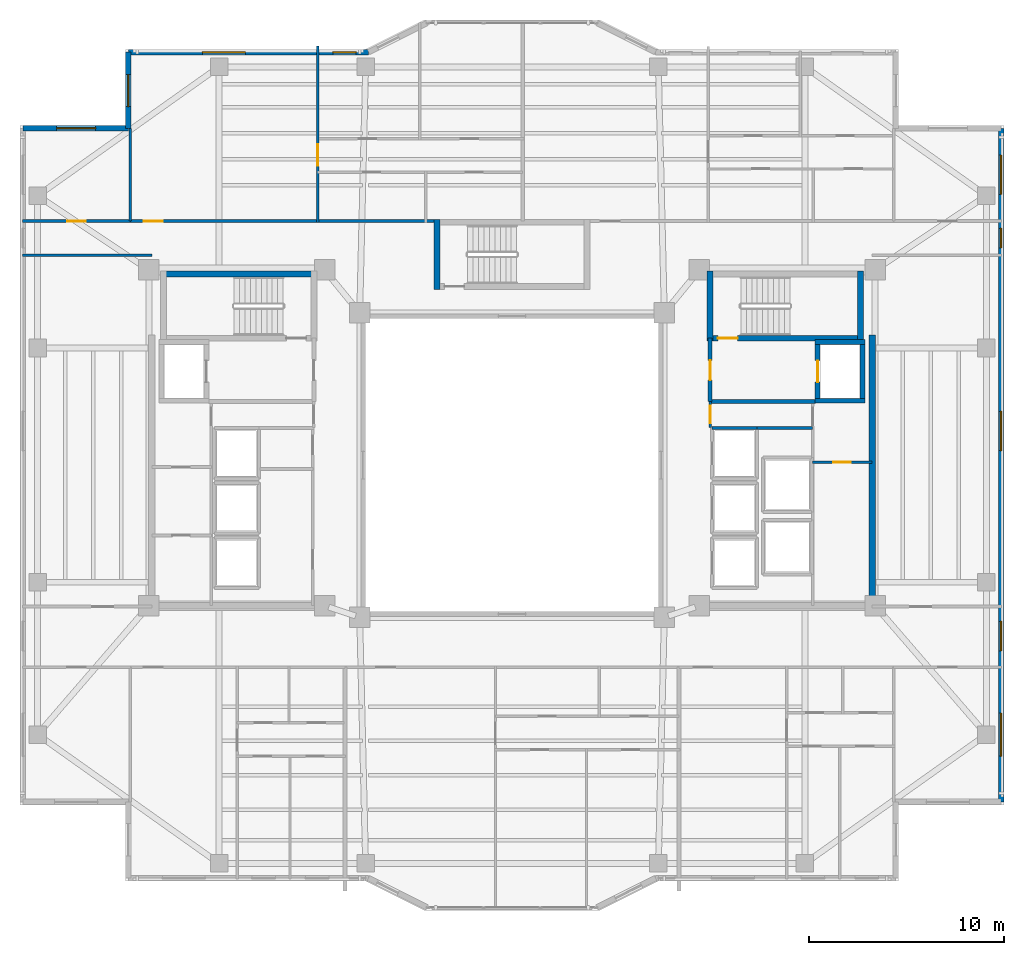
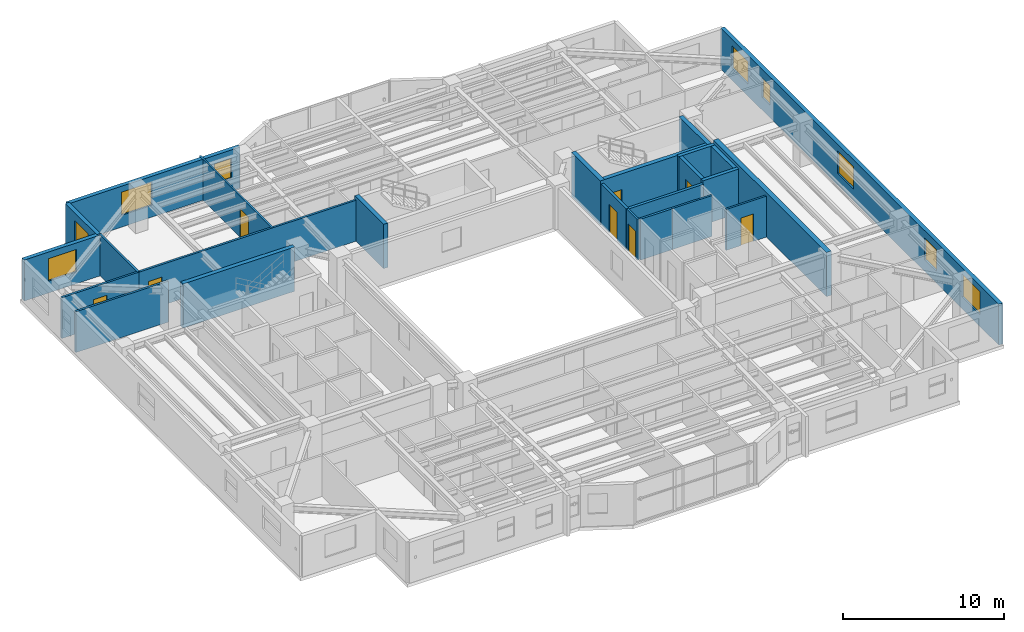
# One storey, part 9 of 15: 25 walls, 9 windows, 8 doors, 17 openings.
"""IFC4 building model written with IfcOpenShell, lengths in metres."""

from ifc_helpers import new_model, si_unit, direction, frame, frame_2d, origin, place, context, subcontext, project, spatial, rectangle, extrude, material, layer, layer_set, type_object, element, fill, save


model = new_model("IFC4")

# Units and contexts
model_context = context("Model", 3, precision=1e-05, world=origin(), true_north=direction((0.0, 1.0)))
body_context = subcontext(model_context, "Body", "Model", "MODEL_VIEW")
ifc_project = project(units=[si_unit("LENGTHUNIT", "METRE"), si_unit("AREAUNIT", "SQUARE_METRE"), si_unit("VOLUMEUNIT", "CUBIC_METRE"), si_unit("PLANEANGLEUNIT", "RADIAN"), si_unit("MASSUNIT", "GRAM", prefix="KILO")], contexts=[model_context])

# Site, building, storey
site_placement = place(None, origin())
site = spatial("IfcSite", under=ifc_project, at=site_placement, CompositionType="ELEMENT")
building_placement = place(site_placement, origin())
building = spatial("IfcBuilding", under=site, at=building_placement, Name="Tarnavaz Court Tower", CompositionType="ELEMENT")
storey_placement = place(building_placement, frame((0.0, 0.0, 162.75)))
storey = spatial("IfcBuildingStorey", under=building, at=storey_placement, Name="L44", CompositionType="ELEMENT", Elevation=162.75)

# Wall, opening, door
ifc_material_1 = material(Name="Concrete C50/60", Category="concrete")
ifc_layer_1 = layer(ifc_material_1, 0.25)
ifc_layer_set_1 = layer_set([ifc_layer_1], Name="Concrete C50/60")
wall_type_1 = type_object("IfcWallType", Name="WL-CORE-250-C50", PredefinedType="SHEAR", material=ifc_layer_set_1)
wall_1_placement = place(storey_placement, frame((15.64990234375, 3.175048828125, 0.0), z_axis=(0.0, 0.0, 1.0), x_axis=(0.0, 1.0, 0.0)))
wall_1 = element("IfcWall", 1, at=wall_1_placement, inside=storey, type_object=wall_type_1, Name="L44 Lift FL-E1 Shaft Wall 033", PredefinedType="SHEAR", context=body_context, shape_type="SweptSolid", body=[
    extrude(rectangle(XDim=3.25, YDim=0.25, at=frame_2d((1.625, 0.0))), origin(), (0.0, 0.0, 1.0), 3.35009765625),
])
opening_1_placement = place(wall_1_placement, frame((1.074951171875, 0.0, 0.0)))
opening_1 = element("IfcOpeningElement", 2, at=opening_1_placement, cuts=wall_1, Name="Opening LD1", PredefinedType="OPENING", context=body_context, shape_type="SweptSolid", body=[
    extrude(rectangle(XDim=1.10009765625, YDim=2.14990234375, at=frame_2d((0.550048828125, 1.074951171875))), frame((0.0, 0.135009765625, 0.0), z_axis=(0.0, -1.0, 0.0), x_axis=(1.0, 0.0, 0.0)), (0.0, 0.0, 1.0), 0.27001953125),
])
ifc_material_2 = material(Name="Stainless Steel", Category="steel")
door_type_1 = type_object("IfcDoorType", Name="DR-LD-1100", OperationType="NOTDEFINED", PredefinedType="DOOR", material=ifc_material_2)
door_1_placement = place(opening_1_placement, origin())
door_1 = element("IfcDoor", 3, at=door_1_placement, inside=storey, type_object=door_type_1, Name="L44 Lift Landing Door LD-FL-E1", OperationType="SLIDING_TO_LEFT", OverallHeight=2.14990234375, OverallWidth=1.10009765625, PredefinedType="DOOR", context=body_context, shape_type="SweptSolid", body=[
    extrude(rectangle(XDim=1.10009765625, YDim=2.14990234375, at=frame_2d((0.550048828125, 1.074951171875))), frame((0.0, 0.02490234375, 0.0), z_axis=(0.0, -1.0, 0.0), x_axis=(1.0, 0.0, 0.0)), (0.0, 0.0, 1.0), 0.050048828125),
])
fill(opening_1, door_1)

# Walls
wall_2_placement = place(storey_placement, frame((17.949951171875, 3.175048828125, 0.0), z_axis=(0.0, 0.0, 1.0), x_axis=(0.0, 1.0, 0.0)))
element("IfcWall", 4, at=wall_2_placement, inside=storey, type_object=wall_type_1, Name="L44 Lift FL-E1 Shaft Wall 034", PredefinedType="SHEAR", context=body_context, shape_type="SweptSolid", body=[
    extrude(rectangle(XDim=3.25, YDim=0.25, at=frame_2d((1.625, 0.0))), origin(), (0.0, 0.0, 1.0), 3.35009765625),
])
for number, where, z_axis, x_axis, name in (
    (5, (15.52490234375, 3.300048828125, 0.0), (0.0, 0.0, 1.0), (1.0, 0.0, 0.0), "L44 Lift FL-E1 Shaft Wall 035"),
    (6, (15.52490234375, 6.300048828125, 0.0), (0.0, 0.0, 1.0), (1.0, 0.0, 0.0), "L44 Lift FL-E1 Shaft Wall 036"),
):
    element("IfcWall", number, at=place(storey_placement, frame(where, z_axis=z_axis, x_axis=x_axis)), inside=storey, type_object=wall_type_1, Name=name, PredefinedType="SHEAR", context=body_context, shape_type="SweptSolid", body=[
        extrude(rectangle(XDim=2.550048828125, YDim=0.25, at=frame_2d((1.27490234375, 0.0))), origin(), (0.0, 0.0, 1.0), 3.35009765625),
    ])
ifc_layer_2 = layer(ifc_material_1, 0.300048828125)
ifc_layer_set_2 = layer_set([ifc_layer_2], Name="Concrete C50/60")
wall_type_2 = type_object("IfcWallType", Name="WL-CORE-300-C50", PredefinedType="SHEAR", material=ifc_layer_set_2)
wall_3_placement = place(storey_placement, frame((-18.0, 9.7900390625, 0.0), z_axis=(0.0, 0.0, 1.0), x_axis=(1.0, 0.0, 0.0)))
element("IfcWall", 7, at=wall_3_placement, inside=storey, type_object=wall_type_2, Name="L44 West Stair Core Wall 001", PredefinedType="SHEAR", context=body_context, shape_type="SweptSolid", body=[
    extrude(rectangle(XDim=8.0, YDim=0.300048828125, at=frame_2d((4.0, 0.0))), origin(), (0.0, 0.0, 1.0), 3.35009765625),
])

# Wall, opening, door
wall_4_placement = place(storey_placement, frame((10.0, 6.5, 0.0), z_axis=(0.0, 0.0, 1.0), x_axis=(1.0, 0.0, 0.0)))
wall_4 = element("IfcWall", 8, at=wall_4_placement, inside=storey, type_object=wall_type_2, Name="L44 East Stair Core Wall 006", PredefinedType="SHEAR", context=body_context, shape_type="SweptSolid", body=[
    extrude(rectangle(XDim=8.0, YDim=0.300048828125, at=frame_2d((4.0, 0.0))), origin(), (0.0, 0.0, 1.0), 3.35009765625),
])
opening_2_placement = place(wall_4_placement, frame((0.550048828125, 0.0, 0.0)))
opening_2 = element("IfcOpeningElement", 9, at=opening_2_placement, cuts=wall_4, Name="Opening D01", PredefinedType="OPENING", context=body_context, shape_type="SweptSolid", body=[
    extrude(rectangle(XDim=1.0, YDim=2.14990234375, at=frame_2d((0.5, 1.074951171875))), frame((0.0, 0.159912109375, 0.0), z_axis=(0.0, -1.0, 0.0), x_axis=(1.0, 0.0, 0.0)), (0.0, 0.0, 1.0), 0.320068359375),
])
ifc_material_3 = material(Name="Fire-Rated Hardwood Timber Core", Category="wood")
door_type_2 = type_object("IfcDoorType", Name="DR-FD90-1000", OperationType="NOTDEFINED", PredefinedType="DOOR", material=ifc_material_3)
door_2_placement = place(opening_2_placement, origin())
door_2 = element("IfcDoor", 10, at=door_2_placement, inside=storey, type_object=door_type_2, Name="L44 Stair ST-E1 Exit Door", OperationType="SINGLE_SWING_RIGHT", OverallHeight=2.14990234375, OverallWidth=1.0, PredefinedType="DOOR", context=body_context, shape_type="SweptSolid", body=[
    extrude(rectangle(XDim=1.0, YDim=2.14990234375, at=frame_2d((0.5, 1.074951171875))), frame((0.0, 0.02490234375, 0.0), z_axis=(0.0, -1.0, 0.0), x_axis=(1.0, 0.0, 0.0)), (0.0, 0.0, 1.0), 0.050048828125),
])
fill(opening_2, door_2)

# Walls
for number, where, z_axis, x_axis, name in (
    (11, (10.14990234375, 6.35009765625, 0.0), (0.0, 0.0, 1.0), (0.0, 1.0, 0.0), "L44 East Stair Core Wall 007"),
    (12, (17.85009765625, 6.35009765625, 0.0), (0.0, 0.0, 1.0), (0.0, 1.0, 0.0), "L44 East Stair Core Wall 008"),
):
    element("IfcWall", number, at=place(storey_placement, frame(where, z_axis=z_axis, x_axis=x_axis)), inside=storey, type_object=wall_type_2, Name=name, PredefinedType="SHEAR", context=body_context, shape_type="SweptSolid", body=[
        extrude(rectangle(XDim=3.58984375, YDim=0.300048828125, at=frame_2d((1.794921875, 0.0))), origin(), (0.0, 0.0, 1.0), 3.35009765625),
    ])
wall_5_placement = place(storey_placement, frame((-3.85009765625, 9.0, 0.0), z_axis=(0.0, 0.0, 1.0), x_axis=(0.0, 1.0, 0.0)))
element("IfcWall", 13, at=wall_5_placement, inside=storey, type_object=wall_type_2, Name="L44 North Stair Core Wall 011", PredefinedType="SHEAR", context=body_context, shape_type="SweptSolid", body=[
    extrude(rectangle(XDim=3.590087890625, YDim=0.300048828125, at=frame_2d((1.794921875, 0.0))), origin(), (0.0, 0.0, 1.0), 3.35009765625),
])
ifc_layer_3 = layer(ifc_material_1, 0.35009765625)
ifc_layer_set_3 = layer_set([ifc_layer_3], Name="Concrete C50/60")
wall_type_3 = type_object("IfcWallType", Name="WL-CORE-350-C50", PredefinedType="SHEAR", material=ifc_layer_set_3)
wall_6_placement = place(storey_placement, frame((18.449951171875, -7.375, 0.0), z_axis=(0.0, 0.0, 1.0), x_axis=(0.0, 1.0, 0.0)))
element("IfcWall", 14, at=wall_6_placement, inside=storey, type_object=wall_type_3, Name="L44 East Core Shear Wall 059", PredefinedType="SHEAR", context=body_context, shape_type="SweptSolid", body=[
    extrude(rectangle(XDim=14.050048828125, YDim=0.35009765625, at=frame_2d((7.02490234375, 0.0))), origin(), (0.0, 0.0, 1.0), 3.35009765625),
])

# Wall, opening, window
ifc_material_4 = material(Name="Precast Concrete C40/50", Category="concrete")
ifc_layer_4 = layer(ifc_material_4, 0.280029296875)
ifc_layer_set_4 = layer_set([ifc_layer_4], Name="Precast Concrete C40/50")
wall_type_4 = type_object("IfcWallType", Name="WL-EXT-280", PredefinedType="SOLIDWALL", material=ifc_layer_set_4)
wall_7_placement = place(storey_placement, frame((-25.050048828125, 17.25, 0.0), z_axis=(0.0, 0.0, 1.0), x_axis=(1.0, 0.0, 0.0)))
wall_7 = element("IfcWall", 15, at=wall_7_placement, inside=storey, type_object=wall_type_4, Name="L44 Exterior Terracotta Facade Wall 03", PredefinedType="SOLIDWALL", context=body_context, shape_type="SweptSolid", body=[
    extrude(rectangle(XDim=5.400146484375, YDim=0.280029296875, at=frame_2d((2.7001953125, 0.0))), origin(), (0.0, 0.0, 1.0), 3.10009765625),
])
opening_3_placement = place(wall_7_placement, frame((1.72509765625, 0.0, 0.89990234375)))
opening_3 = element("IfcOpeningElement", 16, at=opening_3_placement, cuts=wall_7, Name="Opening W08", PredefinedType="OPENING", context=body_context, shape_type="SweptSolid", body=[
    extrude(rectangle(XDim=2.0, YDim=1.699951171875, at=frame_2d((1.0, 0.85009765625))), frame((0.0, 0.14990234375, 0.0), z_axis=(0.0, -1.0, 0.0), x_axis=(1.0, 0.0, 0.0)), (0.0, 0.0, 1.0), 0.300048828125),
])
ifc_material_5 = material(Name="Double-Glazed Solar Low-E Glass", Category="glass")
window_type_1 = type_object("IfcWindowType", Name="WN-APT-2000", PartitioningType="DOUBLE_PANEL_VERTICAL", PredefinedType="WINDOW", material=ifc_material_5)
window_1_placement = place(opening_3_placement, origin())
window_1 = element("IfcWindow", 17, at=window_1_placement, inside=storey, type_object=window_type_1, Name="L44 North-West Corner Sunroom Study Window", OverallHeight=1.699951171875, OverallWidth=2.0, PartitioningType="SINGLE_PANEL", PredefinedType="WINDOW", context=body_context, shape_type="SweptSolid", body=[
    extrude(rectangle(XDim=2.0, YDim=1.699951171875, at=frame_2d((1.0, 0.85009765625))), frame((0.0, 0.030029296875, 0.0), z_axis=(0.0, -1.0, 0.0), x_axis=(1.0, 0.0, 0.0)), (0.0, 0.0, 1.0), 0.06005859375),
])
fill(opening_3, window_1)

wall_8_placement = place(storey_placement, frame((-19.64990234375, 17.25, 0.0), z_axis=(0.0, 0.0, 1.0), x_axis=(0.0, 1.0, 0.0)))
wall_8 = element("IfcWall", 18, at=wall_8_placement, inside=storey, type_object=wall_type_4, Name="L44 Exterior Terracotta Facade Wall 04", PredefinedType="SOLIDWALL", context=body_context, shape_type="SweptSolid", body=[
    extrude(rectangle(XDim=3.89990234375, YDim=0.280029296875, at=frame_2d((1.949951171875, 0.0))), origin(), (0.0, 0.0, 1.0), 3.10009765625),
])
opening_4_placement = place(wall_8_placement, frame((1.107177734375, 0.0, 0.89990234375)))
opening_4 = element("IfcOpeningElement", 19, at=opening_4_placement, cuts=wall_8, Name="Opening W02", PredefinedType="OPENING", context=body_context, shape_type="SweptSolid", body=[
    extrude(rectangle(XDim=1.64990234375, YDim=1.60009765625, at=frame_2d((0.824951171875, 0.800048828125))), frame((0.0, 0.14990234375, 0.0), z_axis=(0.0, -1.0, 0.0), x_axis=(1.0, 0.0, 0.0)), (0.0, 0.0, 1.0), 0.300048828125),
])
window_type_2 = type_object("IfcWindowType", Name="WN-APT-1650", PartitioningType="DOUBLE_PANEL_VERTICAL", PredefinedType="WINDOW", material=ifc_material_5)
window_2_placement = place(opening_4_placement, origin())
window_2 = element("IfcWindow", 20, at=window_2_placement, inside=storey, type_object=window_type_2, Name="L44 Flat 01 Living and Dining Room Window", OverallHeight=1.60009765625, OverallWidth=1.64990234375, PartitioningType="SINGLE_PANEL", PredefinedType="WINDOW", context=body_context, shape_type="SweptSolid", body=[
    extrude(rectangle(XDim=1.64990234375, YDim=1.60009765625, at=frame_2d((0.824951171875, 0.800048828125))), frame((0.0, 0.030029296875, 0.0), z_axis=(0.0, -1.0, 0.0), x_axis=(1.0, 0.0, 0.0)), (0.0, 0.0, 1.0), 0.06005859375),
])
fill(opening_4, window_2)

# Wall, openings, windows
wall_9_placement = place(storey_placement, frame((-19.64990234375, 21.14990234375, 0.0), z_axis=(0.0, 0.0, 1.0), x_axis=(1.0, 0.0, 0.0)))
wall_9 = element("IfcWall", 21, at=wall_9_placement, inside=storey, type_object=wall_type_4, Name="L44 Exterior Terracotta Facade Wall 05", PredefinedType="SOLIDWALL", context=body_context, shape_type="SweptSolid", body=[
    extrude(rectangle(XDim=12.2998046875, YDim=0.280029296875, at=frame_2d((6.14990234375, 0.0))), origin(), (0.0, 0.0, 1.0), 3.10009765625),
])
opening_5_placement = place(wall_9_placement, frame((3.794921875, 0.0, 0.89990234375)))
opening_5 = element("IfcOpeningElement", 22, at=opening_5_placement, cuts=wall_9, Name="Opening W07", PredefinedType="OPENING", context=body_context, shape_type="SweptSolid", body=[
    extrude(rectangle(XDim=2.199951171875, YDim=1.75, at=frame_2d((1.10009765625, 0.875))), frame((0.0, 0.14990234375, 0.0), z_axis=(0.0, -1.0, 0.0), x_axis=(1.0, 0.0, 0.0)), (0.0, 0.0, 1.0), 0.300048828125),
])
opening_6_placement = place(wall_9_placement, frame((10.469970703125, 0.0, 0.949951171875)))
opening_6 = element("IfcOpeningElement", 23, at=opening_6_placement, cuts=wall_9, Name="Opening W05", PredefinedType="OPENING", context=body_context, shape_type="SweptSolid", body=[
    extrude(rectangle(XDim=1.199951171875, YDim=1.5, at=frame_2d((0.60009765625, 0.75))), frame((0.0, 0.14990234375, 0.0), z_axis=(0.0, -1.0, 0.0), x_axis=(1.0, 0.0, 0.0)), (0.0, 0.0, 1.0), 0.300048828125),
])
window_type_3 = type_object("IfcWindowType", Name="WN-APT-1200", PartitioningType="SINGLE_PANEL", PredefinedType="WINDOW", material=ifc_material_5)
window_3_placement = place(opening_6_placement, origin())
window_3 = element("IfcWindow", 24, at=window_3_placement, inside=storey, type_object=window_type_3, Name="L44 Flat 01 Principal Bedroom Window", OverallHeight=1.5, OverallWidth=1.199951171875, PartitioningType="SINGLE_PANEL", PredefinedType="WINDOW", context=body_context, shape_type="SweptSolid", body=[
    extrude(rectangle(XDim=1.199951171875, YDim=1.5, at=frame_2d((0.60009765625, 0.75))), frame((0.0, 0.030029296875, 0.0), z_axis=(0.0, -1.0, 0.0), x_axis=(1.0, 0.0, 0.0)), (0.0, 0.0, 1.0), 0.06005859375),
])
fill(opening_6, window_3)
window_type_4 = type_object("IfcWindowType", Name="WN-APT-2200", PartitioningType="TRIPLE_PANEL_VERTICAL", PredefinedType="WINDOW", material=ifc_material_5)
window_4_placement = place(opening_5_placement, origin())
window_4 = element("IfcWindow", 25, at=window_4_placement, inside=storey, type_object=window_type_4, Name="L44 Flat 01 Living and Dining Room Window", OverallHeight=1.75, OverallWidth=2.199951171875, PartitioningType="SINGLE_PANEL", PredefinedType="WINDOW", context=body_context, shape_type="SweptSolid", body=[
    extrude(rectangle(XDim=2.199951171875, YDim=1.75, at=frame_2d((1.10009765625, 0.875))), frame((0.0, 0.030029296875, 0.0), z_axis=(0.0, -1.0, 0.0), x_axis=(1.0, 0.0, 0.0)), (0.0, 0.0, 1.0), 0.06005859375),
])
fill(opening_5, window_4)

wall_10_placement = place(storey_placement, frame((25.050048828125, 17.25, 0.0), z_axis=(0.0, 0.0, 1.0), x_axis=(0.0, -1.0, 0.0)))
wall_10 = element("IfcWall", 26, at=wall_10_placement, inside=storey, type_object=wall_type_4, Name="L44 Exterior Terracotta Facade Wall 12", PredefinedType="SOLIDWALL", context=body_context, shape_type="SweptSolid", body=[
    extrude(rectangle(XDim=34.5, YDim=0.280029296875, at=frame_2d((17.25, 0.0))), origin(), (0.0, 0.0, 1.0), 3.10009765625),
])
opening_7_placement = place(wall_10_placement, frame((1.375, 0.0, 0.89990234375)))
opening_7 = element("IfcOpeningElement", 27, at=opening_7_placement, cuts=wall_10, Name="Opening W08", PredefinedType="OPENING", context=body_context, shape_type="SweptSolid", body=[
    extrude(rectangle(XDim=2.0, YDim=1.699951171875, at=frame_2d((1.0, 0.85009765625))), frame((0.0, 0.14990234375, 0.0), z_axis=(0.0, -1.0, 0.0), x_axis=(1.0, 0.0, 0.0)), (0.0, 0.0, 1.0), 0.300048828125),
])
opening_8_placement = place(wall_10_placement, frame((5.125, 0.0, 0.949951171875)))
opening_8 = element("IfcOpeningElement", 28, at=opening_8_placement, cuts=wall_10, Name="Opening W14", PredefinedType="OPENING", context=body_context, shape_type="SweptSolid", body=[
    extrude(rectangle(XDim=1.0, YDim=1.5, at=frame_2d((0.5, 0.75))), frame((0.0, 0.14990234375, 0.0), z_axis=(0.0, -1.0, 0.0), x_axis=(1.0, 0.0, 0.0)), (0.0, 0.0, 1.0), 0.300048828125),
])
opening_9_placement = place(wall_10_placement, frame((14.5, 0.0, 0.89990234375)))
opening_9 = element("IfcOpeningElement", 29, at=opening_9_placement, cuts=wall_10, Name="Opening W08", PredefinedType="OPENING", context=body_context, shape_type="SweptSolid", body=[
    extrude(rectangle(XDim=2.0, YDim=1.699951171875, at=frame_2d((1.0, 0.85009765625))), frame((0.0, 0.14990234375, 0.0), z_axis=(0.0, -1.0, 0.0), x_axis=(1.0, 0.0, 0.0)), (0.0, 0.0, 1.0), 0.300048828125),
])
opening_10_placement = place(wall_10_placement, frame((25.257568359375, 0.0, 0.89990234375)))
opening_10 = element("IfcOpeningElement", 30, at=opening_10_placement, cuts=wall_10, Name="Opening W03", PredefinedType="OPENING", context=body_context, shape_type="SweptSolid", body=[
    extrude(rectangle(XDim=1.5, YDim=1.64990234375, at=frame_2d((0.75, 0.824951171875))), frame((0.0, 0.14990234375, 0.0), z_axis=(0.0, -1.0, 0.0), x_axis=(1.0, 0.0, 0.0)), (0.0, 0.0, 1.0), 0.300048828125),
])
opening_11_placement = place(wall_10_placement, frame((29.949951171875, 0.0, 0.89990234375)))
opening_11 = element("IfcOpeningElement", 31, at=opening_11_placement, cuts=wall_10, Name="Opening W07", PredefinedType="OPENING", context=body_context, shape_type="SweptSolid", body=[
    extrude(rectangle(XDim=2.199951171875, YDim=1.75, at=frame_2d((1.10009765625, 0.875))), frame((0.0, 0.14990234375, 0.0), z_axis=(0.0, -1.0, 0.0), x_axis=(1.0, 0.0, 0.0)), (0.0, 0.0, 1.0), 0.300048828125),
])
window_type_5 = type_object("IfcWindowType", Name="WN-APT-1000", PartitioningType="SINGLE_PANEL", PredefinedType="WINDOW", material=ifc_material_5)
window_5_placement = place(opening_8_placement, origin())
window_5 = element("IfcWindow", 32, at=window_5_placement, inside=storey, type_object=window_type_5, Name="L44 North-East Corner Corridor Window", OverallHeight=1.5, OverallWidth=1.0, PartitioningType="SINGLE_PANEL", PredefinedType="WINDOW", context=body_context, shape_type="SweptSolid", body=[
    extrude(rectangle(XDim=1.0, YDim=1.5, at=frame_2d((0.5, 0.75))), frame((0.0, 0.030029296875, 0.0), z_axis=(0.0, -1.0, 0.0), x_axis=(1.0, 0.0, 0.0)), (0.0, 0.0, 1.0), 0.06005859375),
])
fill(opening_8, window_5)
window_type_6 = type_object("IfcWindowType", Name="WN-APT-1500", PartitioningType="DOUBLE_PANEL_VERTICAL", PredefinedType="WINDOW", material=ifc_material_5)
window_6_placement = place(opening_10_placement, origin())
window_6 = element("IfcWindow", 33, at=window_6_placement, inside=storey, type_object=window_type_6, Name="L44 South-East Corner Corridor Window", OverallHeight=1.64990234375, OverallWidth=1.5, PartitioningType="SINGLE_PANEL", PredefinedType="WINDOW", context=body_context, shape_type="SweptSolid", body=[
    extrude(rectangle(XDim=1.5, YDim=1.64990234375, at=frame_2d((0.75, 0.824951171875))), frame((0.0, 0.030029296875, 0.0), z_axis=(0.0, -1.0, 0.0), x_axis=(1.0, 0.0, 0.0)), (0.0, 0.0, 1.0), 0.06005859375),
])
fill(opening_10, window_6)
window_7_placement = place(opening_7_placement, origin())
window_7 = element("IfcWindow", 34, at=window_7_placement, inside=storey, type_object=window_type_1, Name="L44 North-East Corner Sunroom Study Window", OverallHeight=1.699951171875, OverallWidth=2.0, PartitioningType="SINGLE_PANEL", PredefinedType="WINDOW", context=body_context, shape_type="SweptSolid", body=[
    extrude(rectangle(XDim=2.0, YDim=1.699951171875, at=frame_2d((1.0, 0.85009765625))), frame((0.0, 0.030029296875, 0.0), z_axis=(0.0, -1.0, 0.0), x_axis=(1.0, 0.0, 0.0)), (0.0, 0.0, 1.0), 0.06005859375),
])
fill(opening_7, window_7)
window_8_placement = place(opening_9_placement, origin())
window_8 = element("IfcWindow", 35, at=window_8_placement, inside=storey, type_object=window_type_1, Name="L44 East Wing Resident Fitness Lounge Window", OverallHeight=1.699951171875, OverallWidth=2.0, PartitioningType="SINGLE_PANEL", PredefinedType="WINDOW", context=body_context, shape_type="SweptSolid", body=[
    extrude(rectangle(XDim=2.0, YDim=1.699951171875, at=frame_2d((1.0, 0.85009765625))), frame((0.0, 0.030029296875, 0.0), z_axis=(0.0, -1.0, 0.0), x_axis=(1.0, 0.0, 0.0)), (0.0, 0.0, 1.0), 0.06005859375),
])
fill(opening_9, window_8)
window_9_placement = place(opening_11_placement, origin())
window_9 = element("IfcWindow", 36, at=window_9_placement, inside=storey, type_object=window_type_4, Name="L44 South-East Corner Reading Room Window", OverallHeight=1.75, OverallWidth=2.199951171875, PartitioningType="SINGLE_PANEL", PredefinedType="WINDOW", context=body_context, shape_type="SweptSolid", body=[
    extrude(rectangle(XDim=2.199951171875, YDim=1.75, at=frame_2d((1.10009765625, 0.875))), frame((0.0, 0.030029296875, 0.0), z_axis=(0.0, -1.0, 0.0), x_axis=(1.0, 0.0, 0.0)), (0.0, 0.0, 1.0), 0.06005859375),
])
fill(opening_11, window_9)

# Wall, opening, door
ifc_material_6 = material(Name="Gypsum Fire-Board on Acoustic Metal Stud", Category="masonry")
ifc_layer_5 = layer(ifc_material_6, 0.14990234375)
ifc_layer_set_5 = layer_set([ifc_layer_5], Name="Gypsum Fire-Board on Acoustic Metal Stud")
wall_type_5 = type_object("IfcWallType", Name="WL-FIRE-150", PredefinedType="PARTITIONING", material=ifc_layer_set_5)
wall_11_placement = place(storey_placement, frame((-19.550048828125, 12.5, 0.0), z_axis=(0.0, 0.0, 1.0), x_axis=(1.0, 0.0, 0.0)))
wall_11 = element("IfcWall", 37, at=wall_11_placement, inside=storey, type_object=wall_type_5, Name="L44 NW Wing Corridor Wall 072", PredefinedType="PARTITIONING", context=body_context, shape_type="SweptSolid", body=[
    extrude(rectangle(XDim=15.699951171875, YDim=0.14990234375, at=frame_2d((7.85009765625, 0.0))), origin(), (0.0, 0.0, 1.0), 3.10009765625),
])
opening_12_placement = place(wall_11_placement, frame((0.699951171875, 0.0, 0.0)))
opening_12 = element("IfcOpeningElement", 38, at=opening_12_placement, cuts=wall_11, Name="Opening D06", PredefinedType="OPENING", context=body_context, shape_type="SweptSolid", body=[
    extrude(rectangle(XDim=0.9599609375, YDim=2.14990234375, at=frame_2d((0.47998046875, 1.074951171875))), frame((0.0, 0.0849609375, 0.0), z_axis=(0.0, -1.0, 0.0), x_axis=(1.0, 0.0, 0.0)), (0.0, 0.0, 1.0), 0.169921875),
])
door_type_3 = type_object("IfcDoorType", Name="DR-FD60-950", OperationType="NOTDEFINED", PredefinedType="DOOR", material=ifc_material_3)
door_3_placement = place(opening_12_placement, origin())
door_3 = element("IfcDoor", 39, at=door_3_placement, inside=storey, type_object=door_type_3, Name="L44 Flat 01 Entrance Door", OperationType="SINGLE_SWING_RIGHT", OverallHeight=2.14990234375, OverallWidth=0.9599609375, PredefinedType="DOOR", context=body_context, shape_type="SweptSolid", body=[
    extrude(rectangle(XDim=0.9599609375, YDim=2.14990234375, at=frame_2d((0.47998046875, 1.074951171875))), frame((0.0, 0.02490234375, 0.0), z_axis=(0.0, -1.0, 0.0), x_axis=(1.0, 0.0, 0.0)), (0.0, 0.0, 1.0), 0.050048828125),
])
fill(opening_12, door_3)

# Wall
wall_12_placement = place(storey_placement, frame((-25.080078125, 10.75, 0.0), z_axis=(0.0, 0.0, 1.0), x_axis=(1.0, 0.0, 0.0)))
element("IfcWall", 40, at=wall_12_placement, inside=storey, type_object=wall_type_5, Name="L44 Interior Partition 111", PredefinedType="PARTITIONING", context=body_context, shape_type="SweptSolid", body=[
    extrude(rectangle(XDim=6.630126953125, YDim=0.14990234375, at=frame_2d((3.31494140625, 0.0))), origin(), (0.0, 0.0, 1.0), 3.10009765625),
])

# Wall, opening, door
wall_13_placement = place(storey_placement, frame((-25.080078125, 12.5, 0.0), z_axis=(0.0, 0.0, 1.0), x_axis=(1.0, 0.0, 0.0)))
wall_13 = element("IfcWall", 41, at=wall_13_placement, inside=storey, type_object=wall_type_5, Name="L44 Interior Partition 118", PredefinedType="PARTITIONING", context=body_context, shape_type="SweptSolid", body=[
    extrude(rectangle(XDim=5.530029296875, YDim=0.14990234375, at=frame_2d((2.76513671875, 0.0))), origin(), (0.0, 0.0, 1.0), 3.10009765625),
])
opening_13_placement = place(wall_13_placement, frame((2.2900390625, 0.0, 0.0)))
opening_13 = element("IfcOpeningElement", 42, at=opening_13_placement, cuts=wall_13, Name="Opening D13", PredefinedType="OPENING", context=body_context, shape_type="SweptSolid", body=[
    extrude(rectangle(XDim=0.949951171875, YDim=2.14990234375, at=frame_2d((0.47509765625, 1.074951171875))), frame((0.0, 0.0849609375, 0.0), z_axis=(0.0, -1.0, 0.0), x_axis=(1.0, 0.0, 0.0)), (0.0, 0.0, 1.0), 0.169921875),
])
ifc_material_7 = material(Name="Engineered Oak Timber", Category="wood")
door_type_4 = type_object("IfcDoorType", Name="DR-INT-950", OperationType="NOTDEFINED", PredefinedType="DOOR", material=ifc_material_7)
door_4_placement = place(opening_13_placement, origin())
door_4 = element("IfcDoor", 43, at=door_4_placement, inside=storey, type_object=door_type_4, Name="L44 NW Sunroom Door", OperationType="SINGLE_SWING_RIGHT", OverallHeight=2.14990234375, OverallWidth=0.949951171875, PredefinedType="DOOR", context=body_context, shape_type="SweptSolid", body=[
    extrude(rectangle(XDim=0.949951171875, YDim=2.14990234375, at=frame_2d((0.47509765625, 1.074951171875))), frame((0.0, 0.02490234375, 0.0), z_axis=(0.0, -1.0, 0.0), x_axis=(1.0, 0.0, 0.0)), (0.0, 0.0, 1.0), 0.050048828125),
])
fill(opening_13, door_4)

# Wall
ifc_material_8 = material(Name="Autoclaved Aerated Concrete Blockwork", Category="masonry")
ifc_layer_6 = layer(ifc_material_8, 0.199951171875)
ifc_layer_set_6 = layer_set([ifc_layer_6], Name="Autoclaved Aerated Concrete Blockwork")
wall_type_6 = type_object("IfcWallType", Name="WL-FIRE-200", PredefinedType="SOLIDWALL", material=ifc_layer_set_6)
wall_14_placement = place(storey_placement, frame((10.14990234375, 3.25, 0.0), z_axis=(0.0, 0.0, 1.0), x_axis=(1.0, 0.0, 0.0)))
element("IfcWall", 44, at=wall_14_placement, inside=storey, type_object=wall_type_6, Name="L44 East Firefighting Lobby Wall 015", PredefinedType="SOLIDWALL", context=body_context, shape_type="SweptSolid", body=[
    extrude(rectangle(XDim=5.400146484375, YDim=0.199951171875, at=frame_2d((2.7001953125, 0.0))), origin(), (0.0, 0.0, 1.0), 3.10009765625),
])

# Wall, opening, door
wall_15_placement = place(storey_placement, frame((10.14990234375, 3.25, 0.0), z_axis=(0.0, 0.0, 1.0), x_axis=(0.0, 1.0, 0.0)))
wall_15 = element("IfcWall", 45, at=wall_15_placement, inside=storey, type_object=wall_type_6, Name="L44 East Firefighting Lobby Wall 016", PredefinedType="SOLIDWALL", context=body_context, shape_type="SweptSolid", body=[
    extrude(rectangle(XDim=3.25, YDim=0.199951171875, at=frame_2d((1.625, 0.0))), origin(), (0.0, 0.0, 1.0), 3.10009765625),
])
opening_14_placement = place(wall_15_placement, frame((1.10009765625, 0.0, 0.0)))
opening_14 = element("IfcOpeningElement", 46, at=opening_14_placement, cuts=wall_15, Name="Opening D05", PredefinedType="OPENING", context=body_context, shape_type="SweptSolid", body=[
    extrude(rectangle(XDim=1.02001953125, YDim=2.14990234375, at=frame_2d((0.510009765625, 1.074951171875))), frame((0.0, 0.10986328125, 0.0), z_axis=(0.0, -1.0, 0.0), x_axis=(1.0, 0.0, 0.0)), (0.0, 0.0, 1.0), 0.219970703125),
])
door_type_5 = type_object("IfcDoorType", Name="DR-FD60-1000", OperationType="NOTDEFINED", PredefinedType="DOOR", material=ifc_material_3)
door_5_placement = place(opening_14_placement, origin())
door_5 = element("IfcDoor", 47, at=door_5_placement, inside=storey, type_object=door_type_5, Name="L44 East Firefighting Lobby Door", OperationType="SINGLE_SWING_LEFT", OverallHeight=2.14990234375, OverallWidth=1.02001953125, PredefinedType="DOOR", context=body_context, shape_type="SweptSolid", body=[
    extrude(rectangle(XDim=1.02001953125, YDim=2.14990234375, at=frame_2d((0.510009765625, 1.074951171875))), frame((0.0, 0.02490234375, 0.0), z_axis=(0.0, -1.0, 0.0), x_axis=(1.0, 0.0, 0.0)), (0.0, 0.0, 1.0), 0.050048828125),
])
fill(opening_14, door_5)

ifc_material_9 = material(Name="Moisture-Resistant Gypsum Board Partition", Category="masonry")
ifc_layer_7 = layer(ifc_material_9, 0.1201171875)
ifc_layer_set_7 = layer_set([ifc_layer_7], Name="Moisture-Resistant Gypsum Board Partition")
wall_type_7 = type_object("IfcWallType", Name="WL-PART-120", PredefinedType="PARTITIONING", material=ifc_layer_set_7)
wall_16_placement = place(storey_placement, frame((-9.955078125, 12.43994140625, 0.0), z_axis=(0.0, 0.0, 1.0), x_axis=(0.0, 1.0, 0.0)))
wall_16 = element("IfcWall", 48, at=wall_16_placement, inside=storey, type_object=wall_type_7, Name="L44 Interior Partition 077", PredefinedType="PARTITIONING", context=body_context, shape_type="SweptSolid", body=[
    extrude(rectangle(XDim=9.01806640625, YDim=0.1201171875, at=frame_2d((4.509033203125, 0.0))), origin(), (0.0, 0.0, 1.0), 3.10009765625),
])
opening_15_placement = place(wall_16_placement, frame((2.905029296875, 0.0, 0.0)))
opening_15 = element("IfcOpeningElement", 49, at=opening_15_placement, cuts=wall_16, Name="Opening D12", PredefinedType="OPENING", context=body_context, shape_type="SweptSolid", body=[
    extrude(rectangle(XDim=1.080078125, YDim=2.14990234375, at=frame_2d((0.5400390625, 1.074951171875))), frame((0.0, 0.070068359375, 0.0), z_axis=(0.0, -1.0, 0.0), x_axis=(1.0, 0.0, 0.0)), (0.0, 0.0, 1.0), 0.14013671875),
])
door_type_6 = type_object("IfcDoorType", Name="DR-INT-1100", OperationType="NOTDEFINED", PredefinedType="DOOR", material=ifc_material_7)
door_6_placement = place(opening_15_placement, origin())
door_6 = element("IfcDoor", 50, at=door_6_placement, inside=storey, type_object=door_type_6, Name="L44 Flat 01 Foyer Door", OperationType="SINGLE_SWING_LEFT", OverallHeight=2.14990234375, OverallWidth=1.080078125, PredefinedType="DOOR", context=body_context, shape_type="SweptSolid", body=[
    extrude(rectangle(XDim=1.080078125, YDim=2.14990234375, at=frame_2d((0.5400390625, 1.074951171875))), frame((0.0, 0.02490234375, 0.0), z_axis=(0.0, -1.0, 0.0), x_axis=(1.0, 0.0, 0.0)), (0.0, 0.0, 1.0), 0.050048828125),
])
fill(opening_15, door_6)

# Wall
ifc_material_10 = material(Name="Gypsum Plasterboard Acoustic Partition", Category="masonry")
ifc_layer_8 = layer(ifc_material_10, 0.139892578125)
ifc_layer_set_8 = layer_set([ifc_layer_8], Name="Gypsum Plasterboard Acoustic Partition")
wall_type_8 = type_object("IfcWallType", Name="WL-PART-150", PredefinedType="PARTITIONING", material=ifc_layer_set_8)
wall_17_placement = place(storey_placement, frame((12.550048828125, 1.89990234375, 0.0), z_axis=(0.0, 0.0, 1.0), x_axis=(1.0, 0.0, 0.0)))
element("IfcWall", 51, at=wall_17_placement, inside=storey, type_object=wall_type_8, Name="L44 Interior Partition 068", PredefinedType="PARTITIONING", context=body_context, shape_type="SweptSolid", body=[
    extrude(rectangle(XDim=2.849853515625, YDim=0.139892578125, at=frame_2d((1.4248046875, 0.0))), origin(), (0.0, 0.0, 1.0), 3.10009765625),
])

# Wall, opening, door
wall_18_placement = place(storey_placement, frame((10.14990234375, 1.919921875, 0.0), z_axis=(0.0, 0.0, 1.0), x_axis=(0.0, 1.0, 0.0)))
wall_18 = element("IfcWall", 52, at=wall_18_placement, inside=storey, type_object=wall_type_8, Name="L44 Interior Partition 069", PredefinedType="PARTITIONING", context=body_context, shape_type="SweptSolid", body=[
    extrude(rectangle(XDim=1.330078125, YDim=0.139892578125, at=frame_2d((0.6650390625, 0.0))), origin(), (0.0, 0.0, 1.0), 3.10009765625),
])
opening_16_placement = place(wall_18_placement, frame((0.219970703125, 0.0, 0.0)))
opening_16 = element("IfcOpeningElement", 53, at=opening_16_placement, cuts=wall_18, Name="Opening D09", PredefinedType="OPENING", context=body_context, shape_type="SweptSolid", body=[
    extrude(rectangle(XDim=0.89990234375, YDim=2.080078125, at=frame_2d((0.449951171875, 1.0400390625))), frame((0.0, 0.079833984375, 0.0), z_axis=(0.0, -1.0, 0.0), x_axis=(1.0, 0.0, 0.0)), (0.0, 0.0, 1.0), 0.159912109375),
])
door_type_7 = type_object("IfcDoorType", Name="DR-FD30-900", OperationType="NOTDEFINED", PredefinedType="DOOR", material=ifc_material_3)
door_7_placement = place(opening_16_placement, origin())
door_7 = element("IfcDoor", 54, at=door_7_placement, inside=storey, type_object=door_type_7, Name="L44 East Core Service Lobby Door", OperationType="SINGLE_SWING_LEFT", OverallHeight=2.080078125, OverallWidth=0.89990234375, PredefinedType="DOOR", context=body_context, shape_type="SweptSolid", body=[
    extrude(rectangle(XDim=0.89990234375, YDim=2.080078125, at=frame_2d((0.449951171875, 1.0400390625))), frame((0.0, 0.02490234375, 0.0), z_axis=(0.0, -1.0, 0.0), x_axis=(1.0, 0.0, 0.0)), (0.0, 0.0, 1.0), 0.050048828125),
])
fill(opening_16, door_7)

wall_19_placement = place(storey_placement, frame((15.39990234375, 0.14990234375, 0.0), z_axis=(0.0, 0.0, 1.0), x_axis=(1.0, 0.0, 0.0)))
wall_19 = element("IfcWall", 55, at=wall_19_placement, inside=storey, type_object=wall_type_8, Name="L44 Interior Partition 071", PredefinedType="PARTITIONING", context=body_context, shape_type="SweptSolid", body=[
    extrude(rectangle(XDim=3.050048828125, YDim=0.139892578125, at=frame_2d((1.52490234375, 0.0))), origin(), (0.0, 0.0, 1.0), 3.10009765625),
])
opening_17_placement = place(wall_19_placement, frame((1.050048828125, 0.0, 0.0)))
opening_17 = element("IfcOpeningElement", 56, at=opening_17_placement, cuts=wall_19, Name="Opening D09", PredefinedType="OPENING", context=body_context, shape_type="SweptSolid", body=[
    extrude(rectangle(XDim=0.89990234375, YDim=2.080078125, at=frame_2d((0.449951171875, 1.0400390625))), frame((0.0, 0.079833984375, 0.0), z_axis=(0.0, -1.0, 0.0), x_axis=(1.0, 0.0, 0.0)), (0.0, 0.0, 1.0), 0.159912109375),
])
door_8_placement = place(opening_17_placement, origin())
door_8 = element("IfcDoor", 57, at=door_8_placement, inside=storey, type_object=door_type_7, Name="L44 East Electrical Plant Door", OperationType="SINGLE_SWING_LEFT", OverallHeight=2.080078125, OverallWidth=0.89990234375, PredefinedType="DOOR", context=body_context, shape_type="SweptSolid", body=[
    extrude(rectangle(XDim=0.89990234375, YDim=2.080078125, at=frame_2d((0.449951171875, 1.0400390625))), frame((0.0, 0.02490234375, 0.0), z_axis=(0.0, -1.0, 0.0), x_axis=(1.0, 0.0, 0.0)), (0.0, 0.0, 1.0), 0.050048828125),
])
fill(opening_17, door_8)

# Walls
wall_20_placement = place(storey_placement, frame((-19.550048828125, 12.5, 0.0), z_axis=(0.0, 0.0, 1.0), x_axis=(0.0, 1.0, 0.0)))
element("IfcWall", 58, at=wall_20_placement, inside=storey, type_object=wall_type_8, Name="L44 Interior Partition 116", PredefinedType="PARTITIONING", context=body_context, shape_type="SweptSolid", body=[
    extrude(rectangle(XDim=4.75, YDim=0.139892578125, at=frame_2d((2.375, 0.0))), origin(), (0.0, 0.0, 1.0), 3.10009765625),
])
ifc_layer_9 = layer(ifc_material_8, 0.159912109375)
ifc_layer_set_9 = layer_set([ifc_layer_9], Name="Autoclaved Aerated Concrete Blockwork")
wall_type_9 = type_object("IfcWallType", Name="WL-SHAFT-150", PredefinedType="SOLIDWALL", material=ifc_layer_set_9)
wall_21_placement = place(storey_placement, frame((10.25, 1.89990234375, 0.0), z_axis=(0.0, 0.0, 1.0), x_axis=(1.0, 0.0, 0.0)))
element("IfcWall", 59, at=wall_21_placement, inside=storey, type_object=wall_type_9, Name="L44 Lift PL-M3 Shaft Wall 048", PredefinedType="SOLIDWALL", context=body_context, shape_type="SweptSolid", body=[
    extrude(rectangle(XDim=2.300048828125, YDim=0.159912109375, at=frame_2d((1.14990234375, 0.0))), origin(), (0.0, 0.0, 1.0), 3.10009765625),
])

save(model, "model.ifc")
